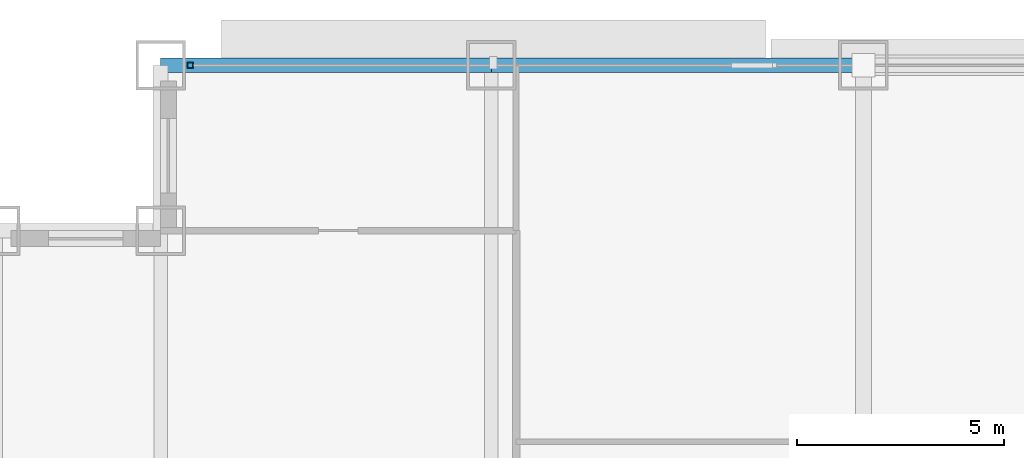
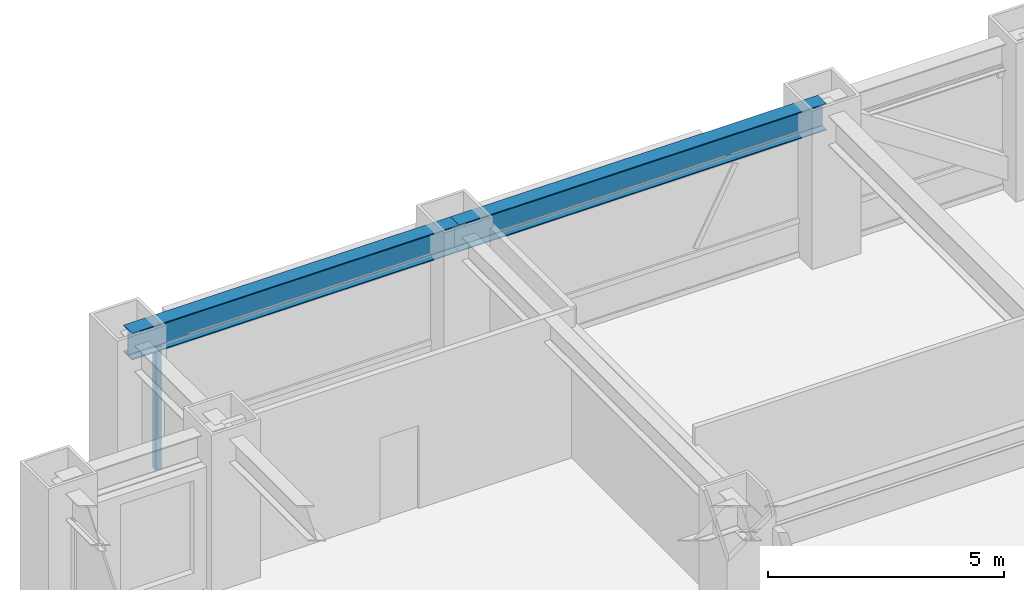
# One storey, part 17 of 32: 2 beams, 1 member, 1 element without a shape of its own.
"""IFC4 building model written with IfcOpenShell, lengths in metres."""

from ifc_helpers import new_model, si_unit, direction, frame, origin, origin_2d, place, context, subcontext, project, spatial, hollow_rectangle, i_section, extrude, source, transform, mapped, material, material_profile, profile_set, type_object, element, aggregate, save


model = new_model("IFC4")

# Units and contexts
model_context = context("Model", 3, precision=1e-05, world=origin(), true_north=direction((0.0, 1.0)))
body_context = subcontext(model_context, "Body", "Model", "MODEL_VIEW")
ifc_project = project(units=[si_unit("LENGTHUNIT", "METRE"), si_unit("AREAUNIT", "SQUARE_METRE"), si_unit("VOLUMEUNIT", "CUBIC_METRE"), si_unit("PLANEANGLEUNIT", "RADIAN"), si_unit("MASSUNIT", "GRAM", prefix="KILO")], contexts=[model_context])

# Site, building, storey
site_placement = place(None, origin())
site = spatial("IfcSite", under=ifc_project, at=site_placement, CompositionType="ELEMENT")
building_placement = place(site_placement, origin())
building = spatial("IfcBuilding", under=site, at=building_placement, Name="Khorayat Bourse Tower", CompositionType="ELEMENT")
storey_placement = place(building_placement, frame((0.0, 0.0, 95.5)))
storey = spatial("IfcBuildingStorey", under=building, at=storey_placement, Name="L21", CompositionType="ELEMENT", Elevation=95.5)

# Beams
ifc_material_1 = material(Name="Steel ASTM A992 Grade 50", Category="steel")
ifc_material_profile_1 = material_profile(ifc_material_1, i_section(OverallWidth=0.35498046875, OverallDepth=0.695068359375, WebThickness=0.015380859375, FlangeThickness=0.02490234375, FilletRadius=0.01806640625, at=origin_2d()), Name="W690X217")
ifc_profile_set_1 = profile_set([ifc_material_profile_1], Name="Steel ASTM A992 Grade 50")
beam_type = type_object("IfcBeamType", Name="BM-SPAN-690", PredefinedType="SPANDREL", material=ifc_profile_set_1)
shared_shape_1 = source(origin(), body_context, "Body", "SweptSolid", [
    extrude(i_section(OverallWidth=0.35498046875, OverallDepth=0.695068359375, WebThickness=0.015380859375, FlangeThickness=0.02490234375, FilletRadius=0.01806640625, at=origin_2d()), origin(), (0.0, 0.0, 1.0), 9.0),
])
beam_1_placement = place(storey_placement, frame((-20.0, 32.0, 3.492431640625), z_axis=(1.0, 0.0, 0.0), x_axis=(0.0, 1.0, 0.0)))
element("IfcBeam", 1, at=beam_1_placement, inside=storey, type_object=beam_type, Name="L21 BM-SPAN-690 BM-L21-SPN-050", PredefinedType="SPANDREL", context=body_context, shape_type="MappedRepresentation", body=[
    mapped(shared_shape_1, transform((0.0, 0.0, 0.0), scale=1.0)),
])
shared_shape_2 = source(origin(), body_context, "Body", "SweptSolid", [
    extrude(i_section(OverallWidth=0.35498046875, OverallDepth=0.695068359375, WebThickness=0.015380859375, FlangeThickness=0.02490234375, FilletRadius=0.01806640625, at=origin_2d()), origin(), (0.0, 0.0, 1.0), 8.0),
])
beam_2_placement = place(storey_placement, frame((-28.0, 32.0, 3.492431640625), z_axis=(1.0, 0.0, 0.0), x_axis=(0.0, 1.0, 0.0)))
element("IfcBeam", 2, at=beam_2_placement, inside=storey, type_object=beam_type, Name="L21 BM-SPAN-690 BM-L21-SPN-051", PredefinedType="SPANDREL", context=body_context, shape_type="MappedRepresentation", body=[
    mapped(shared_shape_2, transform((0.0, 0.0, 0.0), scale=1.0)),
])

# Curtain wall, member
ifc_material_2 = material(Name="Aluminium EN AW-6063 T6", Category="aluminium")
curtain_wall_type = type_object("IfcCurtainWallType", Name="CW-SYS-02", PredefinedType="NOTDEFINED", material=ifc_material_2)
curtain_wall_placement = place(storey_placement, origin())
curtain_wall = element("IfcCurtainWall", 3, at=curtain_wall_placement, inside=storey, type_object=curtain_wall_type, Name="L21 Curtain Wall CW-L21-N1", PredefinedType="NOTDEFINED")
ifc_material_profile_2 = material_profile(ifc_material_2, hollow_rectangle(XDim=0.139892578125, YDim=0.139892578125, WallThickness=0.006103515625, at=origin_2d()), Name="ALU 140x140x6")
ifc_profile_set_2 = profile_set([ifc_material_profile_2], Name="Aluminium EN AW-6063 T6")
member_type = type_object("IfcMemberType", Name="CWM-VERT-140", PredefinedType="MULLION", material=ifc_profile_set_2)
shared_shape_3 = source(origin(), body_context, "Body", "SweptSolid", [
    extrude(hollow_rectangle(XDim=0.139892578125, YDim=0.139892578125, WallThickness=0.006103515625, at=origin_2d()), origin(), (0.0, 0.0, 1.0), 3.18994140625),
])
member_placement = place(storey_placement, frame((-27.280029296875, 32.0, 0.0), z_axis=(0.0, 0.0, 1.0), x_axis=(0.0, 1.0, 0.0)))
member = element("IfcMember", 4, at=member_placement, type_object=member_type, Name="CW-L21-N1 Vertical Mullion 1", PredefinedType="MULLION", context=body_context, shape_type="MappedRepresentation", body=[
    mapped(shared_shape_3, transform((0.0, 0.0, 0.0), scale=1.0)),
])
aggregate(curtain_wall, [member])

save(model, "model.ifc")
